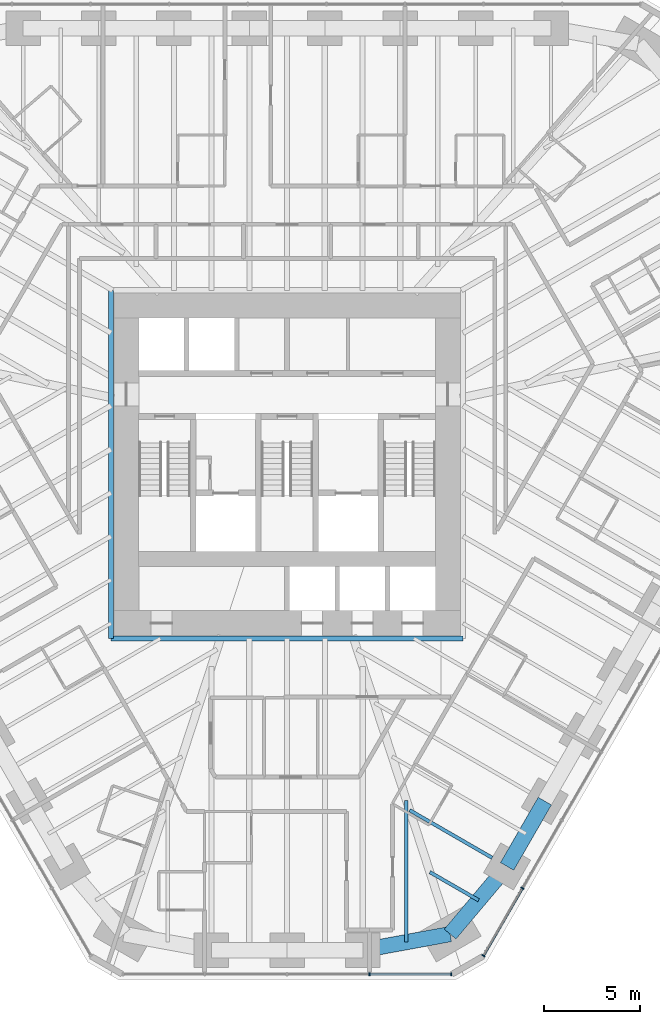
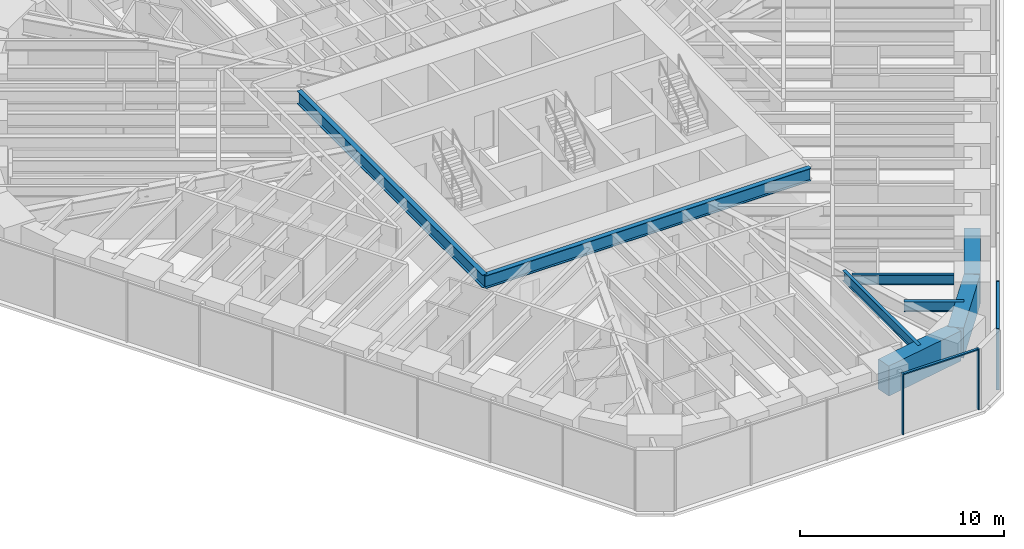
# One storey, part 4 of 17: 8 beams, 6 members, 2 elements without a shape of their own.
"""IFC4 building model written with IfcOpenShell, lengths in metres."""

from ifc_helpers import new_model, si_unit, direction, frame, origin, origin_2d, place, context, subcontext, project, spatial, rectangle, i_section, extrude, material, material_profile, profile_set, type_object, element, aggregate, save


model = new_model("IFC4")

# Units and contexts
model_context = context("Model", 3, precision=1e-05, world=origin(), true_north=direction((0.0, 1.0)))
body_context = subcontext(model_context, "Body", "Model", "MODEL_VIEW")
ifc_project = project(units=[si_unit("LENGTHUNIT", "METRE"), si_unit("AREAUNIT", "SQUARE_METRE"), si_unit("VOLUMEUNIT", "CUBIC_METRE"), si_unit("PLANEANGLEUNIT", "RADIAN"), si_unit("MASSUNIT", "GRAM", prefix="KILO")], contexts=[model_context])

# Site, building, storey
site_placement = place(None, origin())
site = spatial("IfcSite", under=ifc_project, at=site_placement, CompositionType="ELEMENT")
building_placement = place(site_placement, origin())
building = spatial("IfcBuilding", under=site, at=building_placement, Name="Sandreach Pilgrim Tower", CompositionType="ELEMENT")
storey_placement = place(building_placement, frame((0.0, 0.0, 127.199951171875)))
storey = spatial("IfcBuildingStorey", under=building, at=storey_placement, Name="L31", CompositionType="ELEMENT", Elevation=127.199951171875)

# Curtain wall, members
ifc_material_1 = material(Name="Aluminium framed curtain wall", Category="aluminium")
curtain_wall_type = type_object("IfcCurtainWallType", Name="Hotel tower curtain wall", PredefinedType="NOTDEFINED", material=ifc_material_1)
curtain_wall_1_placement = place(storey_placement, origin())
curtain_wall_1 = element("IfcCurtainWall", 1, at=curtain_wall_1_placement, inside=storey, type_object=curtain_wall_type, Name="CW-2 L31 SE", PredefinedType="NOTDEFINED")
ifc_material_2 = material(Name="Aluminium extrusion", Category="aluminium")
ifc_material_profile_1 = material_profile(ifc_material_2, rectangle(XDim=0.06494140625, YDim=0.179931640625, at=origin_2d()), Name="CW-2M 65X180")
ifc_profile_set_1 = profile_set([ifc_material_profile_1], Name="Aluminium extrusion")
member_type_1 = type_object("IfcMemberType", Name="CW-2 mullion", PredefinedType="MULLION", material=ifc_profile_set_1)
member_1_placement = place(storey_placement, frame((12.29296875, -23.695556640625, 0.0), z_axis=(0.0, 0.0, 1.0), x_axis=(-0.5, -0.866025403784, 0.0)))
member_1 = element("IfcMember", 2, at=member_1_placement, type_object=member_type_1, Name="CW-2 mullion 9", PredefinedType="MULLION", context=body_context, shape_type="SweptSolid", body=[
    extrude(rectangle(XDim=0.06494140625, YDim=0.179931640625, at=origin_2d()), origin(), (0.0, 0.0, 1.0), 3.64013671875),
])
member_2_placement = place(storey_placement, frame((10.255859375, -27.22412109375, 0.0), z_axis=(0.0, 0.0, 1.0), x_axis=(-0.5, -0.866025403784, 0.0)))
member_2 = element("IfcMember", 3, at=member_2_placement, type_object=member_type_1, Name="CW-2 mullion 10", PredefinedType="MULLION", context=body_context, shape_type="SweptSolid", body=[
    extrude(rectangle(XDim=0.06494140625, YDim=0.179931640625, at=origin_2d()), origin(), (0.0, 0.0, 1.0), 3.64013671875),
])

curtain_wall_2_placement = place(storey_placement, origin())
curtain_wall_2 = element("IfcCurtainWall", 4, at=curtain_wall_2_placement, inside=storey, type_object=curtain_wall_type, Name="CW-2 L31 S", PredefinedType="NOTDEFINED")
member_3_placement = place(storey_placement, frame((8.578857421875, -28.192138671875, 0.0), z_axis=(0.0, 0.0, 1.0), x_axis=(-1.0, 0.0, 0.0)))
member_3 = element("IfcMember", 5, at=member_3_placement, type_object=member_type_1, Name="CW-2 mullion 1", PredefinedType="MULLION", context=body_context, shape_type="SweptSolid", body=[
    extrude(rectangle(XDim=0.06494140625, YDim=0.179931640625, at=origin_2d()), origin(), (0.0, 0.0, 1.0), 3.64013671875),
])
member_4_placement = place(storey_placement, frame((4.3056640625, -28.192138671875, 0.0), z_axis=(0.0, 0.0, 1.0), x_axis=(-1.0, 0.0, 0.0)))
member_4 = element("IfcMember", 6, at=member_4_placement, type_object=member_type_1, Name="CW-2 mullion 2", PredefinedType="MULLION", context=body_context, shape_type="SweptSolid", body=[
    extrude(rectangle(XDim=0.06494140625, YDim=0.179931640625, at=origin_2d()), origin(), (0.0, 0.0, 1.0), 3.64013671875),
])

# Member
ifc_material_3 = material(Name="Aluminium extrusion", Category="aluminium")
ifc_material_profile_2 = material_profile(ifc_material_3, rectangle(XDim=0.139892578125, YDim=0.070068359375, at=origin_2d()), Name="CW-2T 140X70")
ifc_profile_set_2 = profile_set([ifc_material_profile_2], Name="Aluminium extrusion")
member_type_2 = type_object("IfcMemberType", Name="CW-2 transom", PredefinedType="USERDEFINED", material=ifc_profile_set_2)
member_5_placement = place(storey_placement, frame((12.27685546875, -23.7236328125, 3.60498046875), z_axis=(-0.500015851672, -0.866016251624, 0.0), x_axis=(0.866016251624, -0.500015851672, 0.0)))
member_5 = element("IfcMember", 7, at=member_5_placement, type_object=member_type_2, Name="CW-2 head transom 9", ObjectType="TRANSOM", PredefinedType="USERDEFINED", context=body_context, shape_type="SweptSolid", body=[
    extrude(rectangle(XDim=0.139892578125, YDim=0.070068359375, at=origin_2d()), origin(), (0.0, 0.0, 1.0), 4.009521484375),
])

aggregate(curtain_wall_1, [member_1, member_2, member_5])

member_6_placement = place(storey_placement, frame((8.54638671875, -28.192138671875, 3.60498046875), z_axis=(-1.0, 0.0, 0.0), x_axis=(0.0, -1.0, 0.0)))
member_6 = element("IfcMember", 8, at=member_6_placement, type_object=member_type_2, Name="CW-2 head transom 1", ObjectType="TRANSOM", PredefinedType="USERDEFINED", context=body_context, shape_type="SweptSolid", body=[
    extrude(rectangle(XDim=0.139892578125, YDim=0.070068359375, at=origin_2d()), origin(), (0.0, 0.0, 1.0), 4.208251953125),
])

aggregate(curtain_wall_2, [member_3, member_4, member_6])

# Beams
ifc_material_4 = material(Name="Steel ASTM A992 Grade 50", Category="steel")
ifc_material_profile_3 = material_profile(ifc_material_4, i_section(OverallWidth=0.2666015625, OverallDepth=0.77978515625, WebThickness=0.0166015625, FlangeThickness=0.030029296875, at=origin_2d()), Name="W30X148")
ifc_profile_set_3 = profile_set([ifc_material_profile_3], Name="Steel ASTM A992 Grade 50")
beam_type_1 = type_object("IfcBeamType", Name="Core edge beam W30X148", PredefinedType="BEAM", material=ifc_profile_set_3)
beam_1_placement = place(storey_placement, frame((9.193359375, -10.643310546875, 3.250244140625), z_axis=(-1.0, 0.0, 0.0), x_axis=(0.0, -1.0, 0.0)))
element("IfcBeam", 9, at=beam_1_placement, inside=storey, type_object=beam_type_1, Name="BM L31 CES", PredefinedType="BEAM", context=body_context, shape_type="SweptSolid", body=[
    extrude(i_section(OverallWidth=0.2666015625, OverallDepth=0.77978515625, WebThickness=0.0166015625, FlangeThickness=0.030029296875, at=origin_2d()), origin(), (0.0, 0.0, 1.0), 18.38671875),
])
beam_2_placement = place(storey_placement, frame((-9.193359375, -10.643310546875, 3.250244140625), z_axis=(0.0, 1.0, 0.0), x_axis=(-1.0, 0.0, 0.0)))
element("IfcBeam", 10, at=beam_2_placement, inside=storey, type_object=beam_type_1, Name="BM L31 CEW", PredefinedType="BEAM", context=body_context, shape_type="SweptSolid", body=[
    extrude(i_section(OverallWidth=0.2666015625, OverallDepth=0.77978515625, WebThickness=0.0166015625, FlangeThickness=0.030029296875, at=origin_2d()), origin(), (0.0, 0.0, 1.0), 18.186767578125),
])
ifc_material_5 = material(Name="Steel ASTM A992 Grade 50", Category="steel")
ifc_material_profile_4 = material_profile(ifc_material_5, i_section(OverallWidth=0.1787109375, OverallDepth=0.60205078125, WebThickness=0.010986328125, FlangeThickness=0.014892578125, at=origin_2d()), Name="W24X62")
ifc_profile_set_4 = profile_set([ifc_material_profile_4], Name="Steel ASTM A992 Grade 50")
beam_type_2 = type_object("IfcBeamType", Name="Floor beam W24X62", PredefinedType="BEAM", material=ifc_profile_set_4)
beam_3_placement = place(storey_placement, frame((10.714599609375, -22.109130859375, 3.339111328125), z_axis=(-0.866024645457, 0.500001313459, 0.0), x_axis=(-0.500001313459, -0.866024645457, 0.0)))
element("IfcBeam", 11, at=beam_3_placement, inside=storey, type_object=beam_type_2, Name="BM L31 F21", PredefinedType="BEAM", context=body_context, shape_type="SweptSolid", body=[
    extrude(i_section(OverallWidth=0.1787109375, OverallDepth=0.60205078125, WebThickness=0.010986328125, FlangeThickness=0.014892578125, at=origin_2d()), origin(), (0.0, 0.0, 1.0), 4.9765625),
])
beam_4_placement = place(storey_placement, frame((10.006103515625, -24.326904296875, 3.339111328125), z_axis=(-0.866015396618, 0.500017332519, 0.0), x_axis=(-0.500017332519, -0.866015396618, 0.0)))
element("IfcBeam", 12, at=beam_4_placement, inside=storey, type_object=beam_type_2, Name="BM L31 FM21", PredefinedType="BEAM", context=body_context, shape_type="SweptSolid", body=[
    extrude(i_section(OverallWidth=0.1787109375, OverallDepth=0.60205078125, WebThickness=0.010986328125, FlangeThickness=0.014892578125, at=origin_2d()), origin(), (0.0, 0.0, 1.0), 2.9384765625),
])
beam_5_placement = place(storey_placement, frame((6.236572265625, -26.51318359375, 3.339111328125), z_axis=(0.0, 1.0, 0.0), x_axis=(-1.0, 0.0, 0.0)))
element("IfcBeam", 13, at=beam_5_placement, inside=storey, type_object=beam_type_2, Name="BM L31 FM22", PredefinedType="BEAM", context=body_context, shape_type="SweptSolid", body=[
    extrude(i_section(OverallWidth=0.1787109375, OverallDepth=0.60205078125, WebThickness=0.010986328125, FlangeThickness=0.014892578125, at=origin_2d()), origin(), (0.0, 0.0, 1.0), 7.40771484375),
])
ifc_material_6 = material(Name="Concrete 10000 psi", Category="concrete")
ifc_material_profile_5 = material_profile(ifc_material_6, rectangle(XDim=0.800048828125, YDim=1.800048828125, at=origin_2d()), Name="RC800X1800")
ifc_profile_set_5 = profile_set([ifc_material_profile_5], Name="Concrete 10000 psi")
beam_type_3 = type_object("IfcBeamType", Name="Spandrel beam RC800X1800", PredefinedType="SPANDREL", material=ifc_profile_set_5)
beam_6_placement = place(storey_placement, frame((13.464111328125, -19.147216796875, 2.739990234375), z_axis=(-0.49999779889, -0.866026674592, 0.0), x_axis=(0.866026674592, -0.49999779889, 0.0)))
element("IfcBeam", 14, at=beam_6_placement, inside=storey, type_object=beam_type_3, Name="BM L31 SP20", PredefinedType="SPANDREL", context=body_context, shape_type="SweptSolid", body=[
    extrude(rectangle(XDim=0.800048828125, YDim=1.800048828125, at=origin_2d()), origin(), (0.0, 0.0, 1.0), 3.93994140625),
])
beam_7_placement = place(storey_placement, frame((11.494140625, -22.559326171875, 2.739990234375), z_axis=(-0.644078801547, -0.764959147535, 0.0), x_axis=(0.764959147535, -0.644078801547, 0.0)))
element("IfcBeam", 15, at=beam_7_placement, inside=storey, type_object=beam_type_3, Name="BM L31 SP21", PredefinedType="SPANDREL", context=body_context, shape_type="SweptSolid", body=[
    extrude(rectangle(XDim=0.800048828125, YDim=1.800048828125, at=origin_2d()), origin(), (0.0, 0.0, 1.0), 4.62109375),
])
beam_8_placement = place(storey_placement, frame((8.517822265625, -26.09423828125, 2.739990234375), z_axis=(-0.983551746136, -0.180626583516, 0.0), x_axis=(0.180626583516, -0.983551746136, 0.0)))
element("IfcBeam", 16, at=beam_8_placement, inside=storey, type_object=beam_type_3, Name="BM L31 SP22", PredefinedType="SPANDREL", context=body_context, shape_type="SweptSolid", body=[
    extrude(rectangle(XDim=0.800048828125, YDim=1.800048828125, at=origin_2d()), origin(), (0.0, 0.0, 1.0), 4.638916015625),
])

save(model, "model.ifc")
